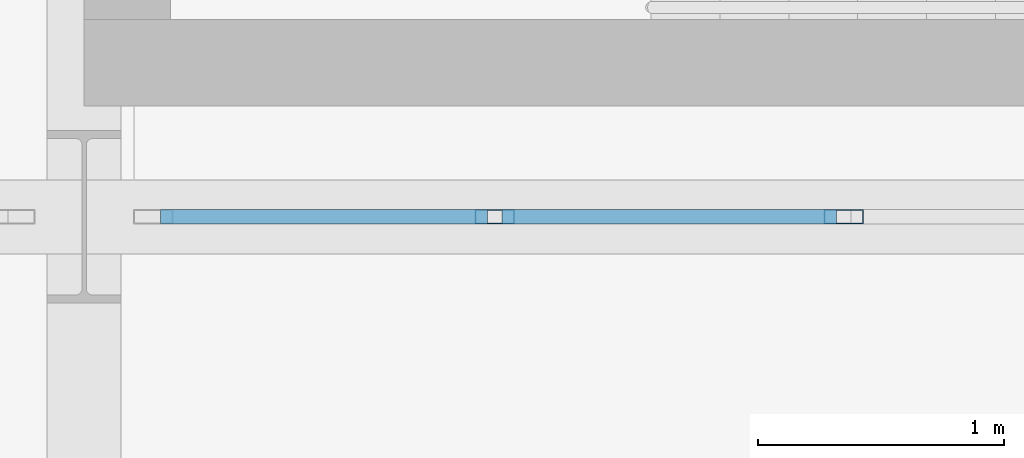
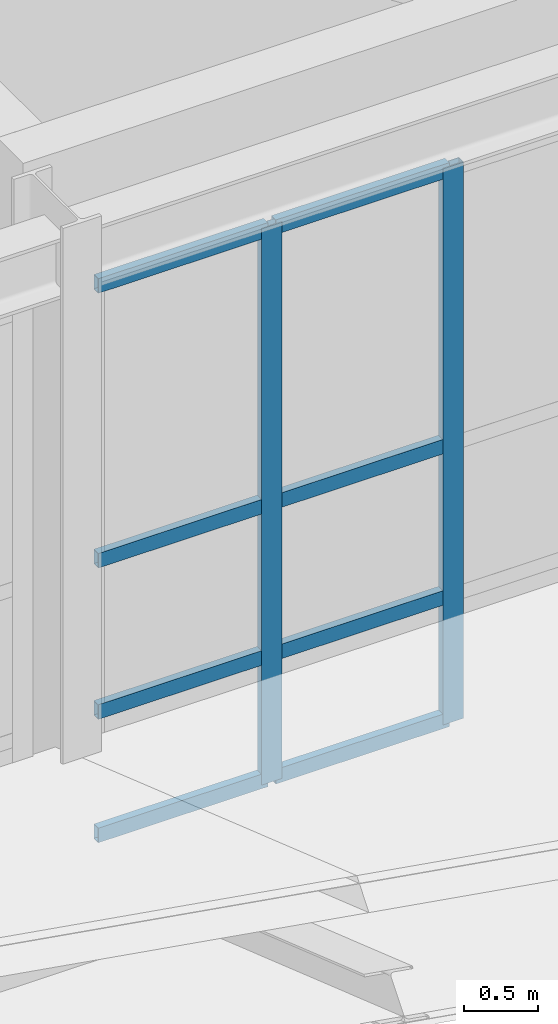
# One storey, part 58 of 239: 10 members, 1 element without a shape of its own.
"""IFC4 building model written with IfcOpenShell, lengths in metres."""

import ifcopenshell
import ifcopenshell.guid

model = None  # the IFC model being written
_history = None  # IfcOwnerHistory: only IFC2X3 demands one
_inside = {}  # id of a spatial element -> (the spatial element, [elements in it])
_under = {}  # id of a project, library or spatial element -> (it, [spatial elements below it])
_declared = {}  # id of a project -> (the project, [libraries it declares])
_typed = {}  # id of a type object -> (the type object, [elements of that type])
_made_of = {}  # id of a material, layer set ... -> (it, [elements and type objects made of it])


def new_model(schema):
    """Start an empty IFC model of exactly this schema.

    Asked for "IFC4X3", IfcOpenShell would pick the latest addendum, in which some entities
    have other attributes; the version numbers below select the first issue.
    IFC2X3 requires an IfcOwnerHistory on every rooted entity: one is made here for all.
    """
    global model, _history
    if schema == "IFC4X3":
        model = ifcopenshell.file(schema_version=(4, 3, 0, 0))
    else:
        model = ifcopenshell.file(schema=schema)
    _inside.clear()
    _under.clear()
    _declared.clear()
    _typed.clear()
    _made_of.clear()
    _history = None
    if model.schema == "IFC2X3":
        org = make("IfcOrganization", Name="unknown")
        user = make(
            "IfcPersonAndOrganization",
            ThePerson=make("IfcPerson", FamilyName="unknown"),
            TheOrganization=org,
        )
        app = make(
            "IfcApplication",
            ApplicationDeveloper=org,
            Version="unknown",
            ApplicationFullName="unknown",
            ApplicationIdentifier="unknown",
        )
        _history = make(
            "IfcOwnerHistory",
            OwningUser=user,
            OwningApplication=app,
            ChangeAction="ADDED",
            CreationDate=0,
        )
    return model


def make(cls, **values):
    """One entity of the class cls with the attributes given. An attribute that is None is left unset."""
    return model.create_entity(
        cls, **{name: value for name, value in values.items() if value is not None}
    )


def rooted(cls, **values):
    """An entity with a GlobalId (a new one), such as an element, a storey or a relation."""
    return make(cls, GlobalId=ifcopenshell.guid.new(), OwnerHistory=_history, **values)


def si_unit(unit_type, name, prefix=None):
    """IfcSIUnit, for example si_unit("LENGTHUNIT", "METRE", prefix="MILLI")."""
    return make("IfcSIUnit", UnitType=unit_type, Prefix=prefix, Name=name)


def assignment(units):
    """IfcUnitAssignment: the units of a project."""
    return None if units is None else make("IfcUnitAssignment", Units=units)


def point(xyz):
    """IfcCartesianPoint."""
    return None if xyz is None else make("IfcCartesianPoint", Coordinates=xyz)


def direction(xyz):
    """IfcDirection."""
    return None if xyz is None else make("IfcDirection", DirectionRatios=xyz)


def frame(location, z_axis=None, x_axis=None):
    """IfcAxis2Placement3D, a coordinate frame: its origin and axes. An axis left out is left unset."""
    return make(
        "IfcAxis2Placement3D",
        Location=point(location),
        Axis=direction(z_axis),
        RefDirection=direction(x_axis),
    )


def frame_2d(location, x_axis=None):
    """IfcAxis2Placement2D, a coordinate frame in the plane: its origin and x axis."""
    return make(
        "IfcAxis2Placement2D", Location=point(location), RefDirection=direction(x_axis)
    )


def origin():
    """The frame at (0, 0, 0) with its axes left unset."""
    return frame((0.0, 0.0, 0.0))


def origin_2d():
    """The frame at (0, 0) in the plane with its x axis left unset."""
    return frame_2d((0.0, 0.0))


def place(relative_to, where):
    """IfcLocalPlacement: puts the frame where relative to a parent placement (None: the world)."""
    return make(
        "IfcLocalPlacement", PlacementRelTo=relative_to, RelativePlacement=where
    )


def context(
    kind, dimensions, precision=None, world=None, true_north=None, identifier=None
):
    """IfcGeometricRepresentationContext, for example the 3D "Model" context."""
    return make(
        "IfcGeometricRepresentationContext",
        ContextIdentifier=identifier,
        ContextType=kind,
        CoordinateSpaceDimension=dimensions,
        Precision=precision,
        WorldCoordinateSystem=world,
        TrueNorth=true_north,
    )


def subcontext(parent, identifier, kind, view, scale=None):
    """IfcGeometricRepresentationSubContext, for example "Body" below "Model"."""
    return make(
        "IfcGeometricRepresentationSubContext",
        ContextIdentifier=identifier,
        ContextType=kind,
        ParentContext=parent,
        TargetScale=scale,
        TargetView=view,
    )


def project(units=None, contexts=None):
    """IfcProject with its units and contexts."""
    return rooted(
        "IfcProject",
        Name="project",
        RepresentationContexts=contexts,
        UnitsInContext=assignment(units),
    )


def spatial(cls, under=None, at=None, **own):
    """A site, building, storey or space (cls), placed at a placement, below another one or the project."""
    s = rooted(cls, ObjectPlacement=at, **own)
    if under is not None:
        _under.setdefault(under.id(), (under, []))[1].append(s)
    return s


def profile(cls, at=None, kind="AREA", **sizes):
    """A parametric profile (cls). Its sizes go by their IFC names, for example OverallWidth=200.0."""
    return make(cls, ProfileType=kind, Position=at, **sizes)


def hollow_rectangle(**sizes):
    """IfcRectangleHollowProfileDef."""
    return profile("IfcRectangleHollowProfileDef", **sizes)


def extrude(swept, where, along, depth):
    """IfcExtrudedAreaSolid: the profile swept, set in the frame where, extruded along a direction by depth."""
    return make(
        "IfcExtrudedAreaSolid",
        SweptArea=swept,
        Position=where,
        ExtrudedDirection=direction(along),
        Depth=depth,
    )


def shape(context_of_items, identifier, shape_type, items):
    """IfcShapeRepresentation: the items that make up one representation, for example the "Body"."""
    return make(
        "IfcShapeRepresentation",
        ContextOfItems=context_of_items,
        RepresentationIdentifier=identifier,
        RepresentationType=shape_type,
        Items=items,
    )


def material(Name=None, Category=None):
    """IfcMaterial."""
    return make("IfcMaterial", Name=Name, Category=Category)


def material_profile(
    of_material, cross_section, Name=None, Category=None, Priority=None
):
    """IfcMaterialProfile: a cross section and its material."""
    return make(
        "IfcMaterialProfile",
        Name=Name,
        Material=of_material,
        Profile=cross_section,
        Priority=Priority,
        Category=Category,
    )


def profile_set(profiles, Name=None, composite=None):
    """IfcMaterialProfileSet."""
    return make(
        "IfcMaterialProfileSet",
        Name=Name,
        MaterialProfiles=profiles,
        CompositeProfile=composite,
    )


def made_of(thing, what):
    """Note that an element or type object is made of a material, layer set ...; save() writes the relation."""
    if what is not None:
        _made_of.setdefault(what.id(), (what, []))[1].append(thing)
    return thing


def type_object(cls, material=None, **own):
    """A type object (cls), such as IfcWallType, which elements share."""
    return made_of(rooted(cls, **own), material)


def element(
    cls,
    number,
    at=None,
    inside=None,
    cuts=None,
    type_object=None,
    material=None,
    context=None,
    identifier="Body",
    shape_type=None,
    held_by="IfcProductDefinitionShape",
    body=None,
    shapes=None,
    **own,
):
    """One element of the class cls, such as IfcWall. Its Tag is "e" and its number.

    at: its placement. inside: the storey or other place that contains it. cuts: it is an
    opening in that element (IfcRelVoidsElement). A single representation is given by context,
    identifier, shape_type and body (its items); several are given by shapes. held_by: the class
    of the entity that holds the representations. save() writes the other relations.
    """
    e = rooted(cls, Tag="e%d" % number, ObjectPlacement=at, **own)
    if body is not None:
        shapes = [shape(context, identifier, shape_type, body)]
    if shapes is not None:
        e.Representation = make(held_by, Representations=shapes)
    if inside is not None:
        _inside.setdefault(inside.id(), (inside, []))[1].append(e)
    if cuts is not None:
        rooted(
            "IfcRelVoidsElement", RelatingBuildingElement=cuts, RelatedOpeningElement=e
        )
    if type_object is not None:
        _typed.setdefault(type_object.id(), (type_object, []))[1].append(e)
    return made_of(e, material)


def aggregate(whole, parts):
    """IfcRelAggregates: a whole, such as a stair, and the parts it consists of."""
    return rooted("IfcRelAggregates", RelatingObject=whole, RelatedObjects=parts)


def save(model, path):
    """Write the relations noted so far, then the file.

    IfcRelAggregates (storeys below a building ...), IfcRelContainedInSpatialStructure (elements
    in a storey), IfcRelDefinesByType, IfcRelAssociatesMaterial and IfcRelDeclares: one each for
    every whole, place, type object, material and project.
    """
    for whole, parts in _under.values():
        aggregate(whole, parts)
    for where, things in _inside.values():
        rooted(
            "IfcRelContainedInSpatialStructure",
            RelatedElements=things,
            RelatingStructure=where,
        )
    for kind, things in _typed.values():
        rooted("IfcRelDefinesByType", RelatedObjects=things, RelatingType=kind)
    for what, things in _made_of.values():
        rooted("IfcRelAssociatesMaterial", RelatedObjects=things, RelatingMaterial=what)
    for by, libraries in _declared.values():
        rooted("IfcRelDeclares", RelatingContext=by, RelatedDefinitions=libraries)
    model.write(path)


model = new_model("IFC4")

# Units and contexts
model_context = context("Model", 3, precision=1e-05, world=origin(), true_north=direction((0.0, 1.0)))
body_context = subcontext(model_context, "Body", "Model", "MODEL_VIEW")
ifc_project = project(units=[si_unit("LENGTHUNIT", "METRE"), si_unit("AREAUNIT", "SQUARE_METRE"), si_unit("VOLUMEUNIT", "CUBIC_METRE"), si_unit("PLANEANGLEUNIT", "RADIAN"), si_unit("MASSUNIT", "GRAM", prefix="KILO")], contexts=[model_context])

# Site, building, storey
site_placement = place(None, origin())
site = spatial("IfcSite", under=ifc_project, at=site_placement, CompositionType="ELEMENT")
building_placement = place(site_placement, origin())
building = spatial("IfcBuilding", under=site, at=building_placement, Name="Kaldris Quays Convention Centre", CompositionType="ELEMENT")
storey_placement = place(building_placement, frame((0.0, 0.0, 11.39990234375)))
storey = spatial("IfcBuildingStorey", under=building, at=storey_placement, Name="L02", CompositionType="ELEMENT", Elevation=11.39990234375)

# Curtain wall, members
ifc_material_1 = material(Name="Anodized aluminium AW-6060 and triple glazing", Category="aluminium")
curtain_wall_type = type_object("IfcCurtainWallType", Name="UNITISED CURTAIN WALL CW04", PredefinedType="NOTDEFINED", material=ifc_material_1)
curtain_wall_placement = place(storey_placement, origin())
curtain_wall = element("IfcCurtainWall", 1, at=curtain_wall_placement, inside=storey, type_object=curtain_wall_type, Name="L02 Unitised Curtain Wall CW04 119", PredefinedType="NOTDEFINED")
ifc_material_2 = material(Name="Anodized aluminium AW-6060", Category="aluminium")
ifc_material_profile_1 = material_profile(ifc_material_2, hollow_rectangle(XDim=0.06005859375, YDim=0.159912109375, WallThickness=0.00390625, at=origin_2d()), Name="RHS 160x60x4")
ifc_profile_set_1 = profile_set([ifc_material_profile_1], Name="Anodized aluminium AW-6060")
member_type_1 = type_object("IfcMemberType", Name="CURTAIN MULLION CWM1", PredefinedType="MULLION", material=ifc_profile_set_1)
member_1_placement = place(storey_placement, frame((129.666748046875, 38.0, 0.0), z_axis=(0.0, 0.0, 1.0), x_axis=(0.0, 1.0, 0.0)))
member_1 = element("IfcMember", 2, at=member_1_placement, type_object=member_type_1, Name="CW04 mullion 2", PredefinedType="MULLION", context=body_context, shape_type="SweptSolid", body=[
    extrude(hollow_rectangle(XDim=0.06005859375, YDim=0.159912109375, WallThickness=0.00390625, at=origin_2d()), origin(), (0.0, 0.0, 1.0), 4.60009765625),
])
member_2_placement = place(storey_placement, frame((131.083251953125, 38.0, 0.0), z_axis=(0.0, 0.0, 1.0), x_axis=(0.0, 1.0, 0.0)))
member_2 = element("IfcMember", 3, at=member_2_placement, type_object=member_type_1, Name="CW04 mullion 3", PredefinedType="MULLION", context=body_context, shape_type="SweptSolid", body=[
    extrude(hollow_rectangle(XDim=0.06005859375, YDim=0.159912109375, WallThickness=0.00390625, at=origin_2d()), origin(), (0.0, 0.0, 1.0), 4.60009765625),
])
ifc_material_profile_2 = material_profile(ifc_material_2, hollow_rectangle(XDim=0.06005859375, YDim=0.1201171875, WallThickness=0.00390625, at=origin_2d()), Name="RHS 120x60x4")
ifc_profile_set_2 = profile_set([ifc_material_profile_2], Name="Anodized aluminium AW-6060")
member_type_2 = type_object("IfcMemberType", Name="CURTAIN TRANSOM CWT1", PredefinedType="USERDEFINED", material=ifc_profile_set_2)
member_3_placement = place(storey_placement, frame((128.31005859375, 38.0, 0.030029296875), z_axis=(1.0, 0.0, 0.0), x_axis=(0.0, 1.0, 0.0)))
member_3 = element("IfcMember", 4, at=member_3_placement, type_object=member_type_2, Name="CW04 transom 1.1", ObjectType="TRANSOM", PredefinedType="USERDEFINED", context=body_context, shape_type="SweptSolid", body=[
    extrude(hollow_rectangle(XDim=0.06005859375, YDim=0.1201171875, WallThickness=0.00390625, at=origin_2d()), origin(), (0.0, 0.0, 1.0), 1.32666015625),
])
member_4_placement = place(storey_placement, frame((128.31005859375, 38.0, 1.050048828125), z_axis=(1.0, 0.0, 0.0), x_axis=(0.0, 1.0, 0.0)))
member_4 = element("IfcMember", 5, at=member_4_placement, type_object=member_type_2, Name="CW04 transom 1.2", ObjectType="TRANSOM", PredefinedType="USERDEFINED", context=body_context, shape_type="SweptSolid", body=[
    extrude(hollow_rectangle(XDim=0.06005859375, YDim=0.1201171875, WallThickness=0.00390625, at=origin_2d()), origin(), (0.0, 0.0, 1.0), 1.32666015625),
])
member_5_placement = place(storey_placement, frame((128.31005859375, 38.0, 2.300048828125), z_axis=(1.0, 0.0, 0.0), x_axis=(0.0, 1.0, 0.0)))
member_5 = element("IfcMember", 6, at=member_5_placement, type_object=member_type_2, Name="CW04 transom 1.3", ObjectType="TRANSOM", PredefinedType="USERDEFINED", context=body_context, shape_type="SweptSolid", body=[
    extrude(hollow_rectangle(XDim=0.06005859375, YDim=0.1201171875, WallThickness=0.00390625, at=origin_2d()), origin(), (0.0, 0.0, 1.0), 1.32666015625),
])
member_6_placement = place(storey_placement, frame((128.31005859375, 38.0, 4.570068359375), z_axis=(1.0, 0.0, 0.0), x_axis=(0.0, 1.0, 0.0)))
member_6 = element("IfcMember", 7, at=member_6_placement, type_object=member_type_2, Name="CW04 transom 1.4", ObjectType="TRANSOM", PredefinedType="USERDEFINED", context=body_context, shape_type="SweptSolid", body=[
    extrude(hollow_rectangle(XDim=0.06005859375, YDim=0.1201171875, WallThickness=0.00390625, at=origin_2d()), origin(), (0.0, 0.0, 1.0), 1.32666015625),
])
member_7_placement = place(storey_placement, frame((129.69677734375, 38.0, 0.030029296875), z_axis=(1.0, 0.0, 0.0), x_axis=(0.0, 1.0, 0.0)))
member_7 = element("IfcMember", 8, at=member_7_placement, type_object=member_type_2, Name="CW04 transom 2.1", ObjectType="TRANSOM", PredefinedType="USERDEFINED", context=body_context, shape_type="SweptSolid", body=[
    extrude(hollow_rectangle(XDim=0.06005859375, YDim=0.1201171875, WallThickness=0.00390625, at=origin_2d()), origin(), (0.0, 0.0, 1.0), 1.3564453125),
])
member_8_placement = place(storey_placement, frame((129.69677734375, 38.0, 1.050048828125), z_axis=(1.0, 0.0, 0.0), x_axis=(0.0, 1.0, 0.0)))
member_8 = element("IfcMember", 9, at=member_8_placement, type_object=member_type_2, Name="CW04 transom 2.2", ObjectType="TRANSOM", PredefinedType="USERDEFINED", context=body_context, shape_type="SweptSolid", body=[
    extrude(hollow_rectangle(XDim=0.06005859375, YDim=0.1201171875, WallThickness=0.00390625, at=origin_2d()), origin(), (0.0, 0.0, 1.0), 1.3564453125),
])
member_9_placement = place(storey_placement, frame((129.69677734375, 38.0, 2.300048828125), z_axis=(1.0, 0.0, 0.0), x_axis=(0.0, 1.0, 0.0)))
member_9 = element("IfcMember", 10, at=member_9_placement, type_object=member_type_2, Name="CW04 transom 2.3", ObjectType="TRANSOM", PredefinedType="USERDEFINED", context=body_context, shape_type="SweptSolid", body=[
    extrude(hollow_rectangle(XDim=0.06005859375, YDim=0.1201171875, WallThickness=0.00390625, at=origin_2d()), origin(), (0.0, 0.0, 1.0), 1.3564453125),
])
member_10_placement = place(storey_placement, frame((129.69677734375, 38.0, 4.570068359375), z_axis=(1.0, 0.0, 0.0), x_axis=(0.0, 1.0, 0.0)))
member_10 = element("IfcMember", 11, at=member_10_placement, type_object=member_type_2, Name="CW04 transom 2.4", ObjectType="TRANSOM", PredefinedType="USERDEFINED", context=body_context, shape_type="SweptSolid", body=[
    extrude(hollow_rectangle(XDim=0.06005859375, YDim=0.1201171875, WallThickness=0.00390625, at=origin_2d()), origin(), (0.0, 0.0, 1.0), 1.3564453125),
])
aggregate(curtain_wall, [member_1, member_2, member_3, member_4, member_5, member_6, member_7, member_8, member_9, member_10])

save(model, "model.ifc")
